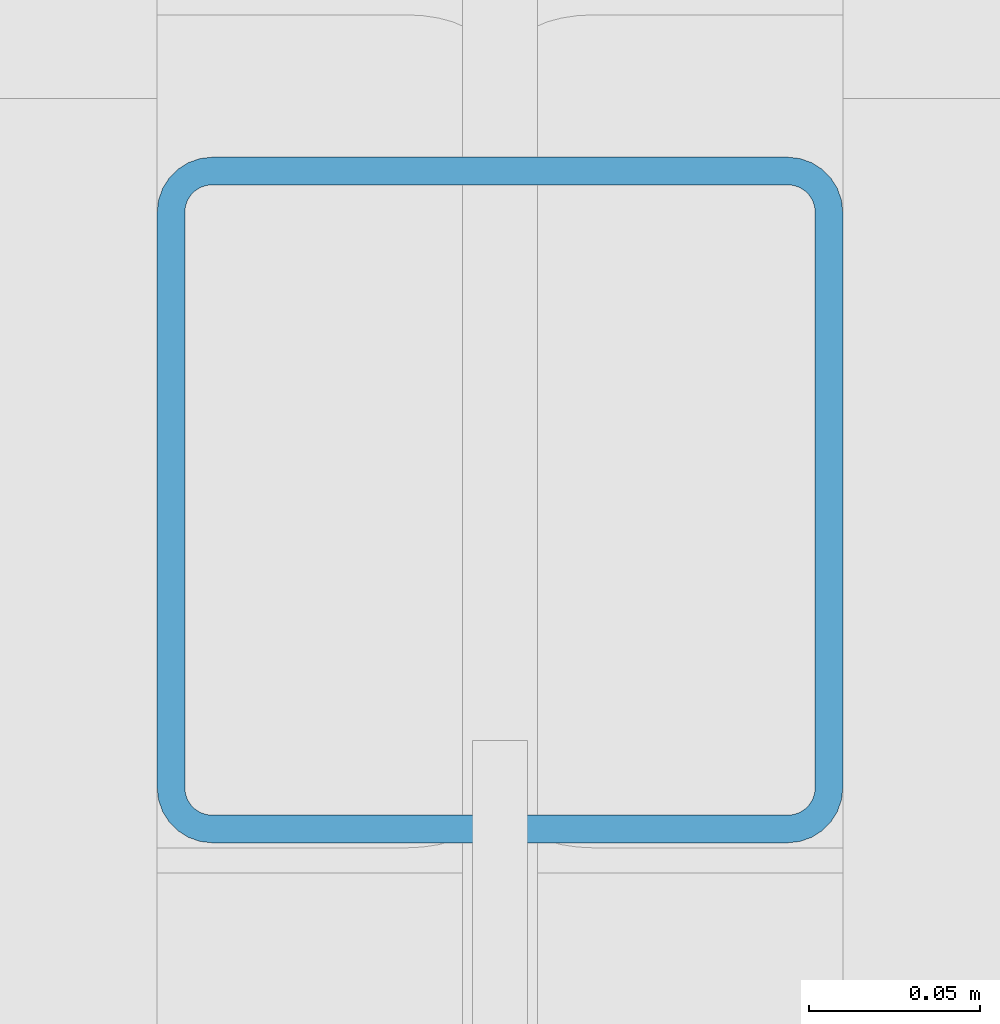
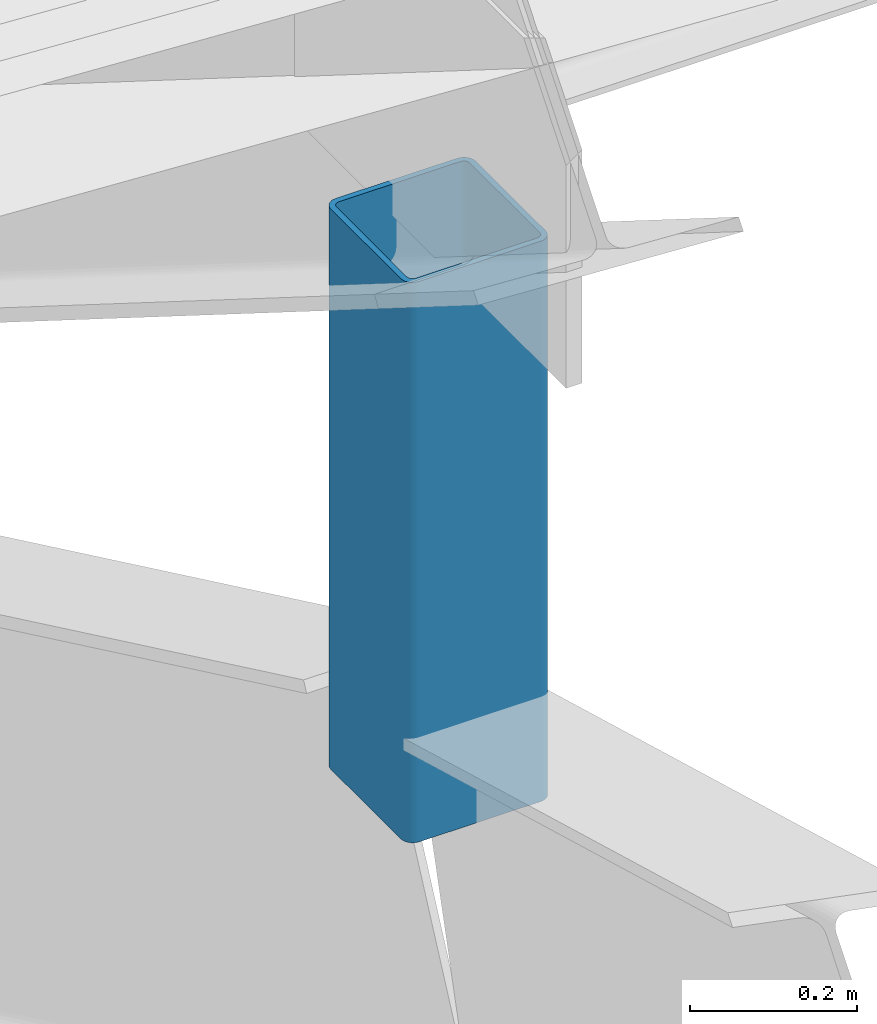
# One storey, part 26 of 66: 1 member.
"""IFC4 building model written with IfcOpenShell, lengths in metres."""

from ifc_helpers import new_model, si_unit, direction, frame, origin, origin_2d, place, context, subcontext, project, spatial, hollow_rectangle, extrude, material, material_profile, profile_set, type_object, element, save


model = new_model("IFC4")

# Units and contexts
model_context = context("Model", 3, precision=1e-05, world=origin(), true_north=direction((0.0, 1.0)))
body_context = subcontext(model_context, "Body", "Model", "MODEL_VIEW")
ifc_project = project(units=[si_unit("LENGTHUNIT", "METRE"), si_unit("AREAUNIT", "SQUARE_METRE"), si_unit("VOLUMEUNIT", "CUBIC_METRE"), si_unit("PLANEANGLEUNIT", "RADIAN"), si_unit("MASSUNIT", "GRAM", prefix="KILO")], contexts=[model_context])

# Site, building, storey
site_placement = place(None, origin())
site = spatial("IfcSite", under=ifc_project, at=site_placement, CompositionType="ELEMENT")
building_placement = place(site_placement, origin())
building = spatial("IfcBuilding", under=site, at=building_placement, Name="Yeouljin Market Hall", CompositionType="ELEMENT")
storey_placement = place(building_placement, frame((0.0, 0.0, 23.39990234375)))
storey = spatial("IfcBuildingStorey", under=building, at=storey_placement, Name="RF", CompositionType="ELEMENT", Elevation=23.39990234375)

# Member
ifc_material = material(Name="Steel SM355", Category="steel")
ifc_material_profile = material_profile(ifc_material, hollow_rectangle(XDim=0.199951171875, YDim=0.199951171875, WallThickness=0.008056640625, InnerFilletRadius=0.008056640625, OuterFilletRadius=0.01611328125, at=origin_2d()), Name="SHS-200x200x8")
ifc_profile_set = profile_set([ifc_material_profile], Name="Steel SM355")
member_type = type_object("IfcMemberType", Name="Strut_SHS-200x200x8", PredefinedType="STRUT", material=ifc_profile_set)
member_placement = place(storey_placement, frame((121.800048828125, 71.0, -8.897705078125), z_axis=(0.0, 0.0, 1.0), x_axis=(1.0, 0.0, 0.0)))
element("IfcMember", 1, at=member_placement, inside=storey, type_object=member_type, Name="Truss AT-10 vertical strut 5", PredefinedType="STRUT", context=body_context, shape_type="SweptSolid", body=[
    extrude(hollow_rectangle(XDim=0.199951171875, YDim=0.199951171875, WallThickness=0.008056640625, InnerFilletRadius=0.008056640625, OuterFilletRadius=0.01611328125, at=origin_2d()), origin(), (0.0, 0.0, 1.0), 0.81787109375),
])

save(model, "model.ifc")
